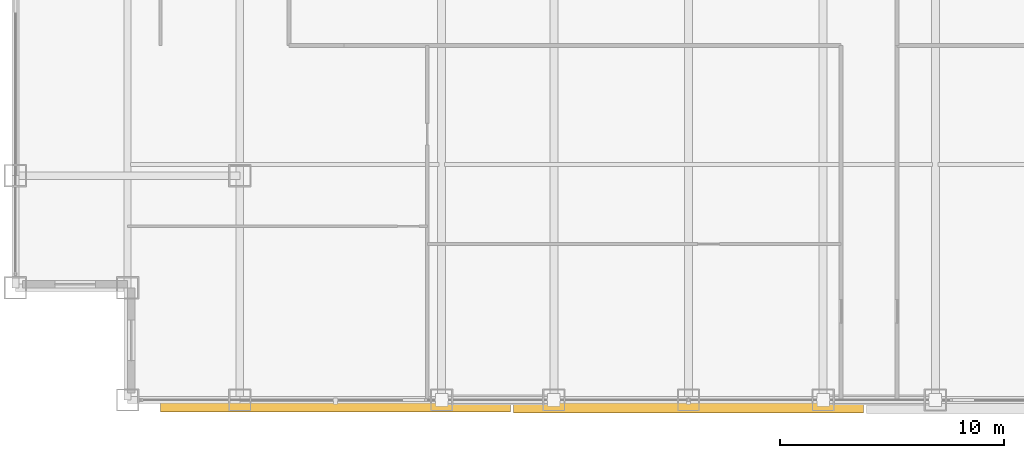
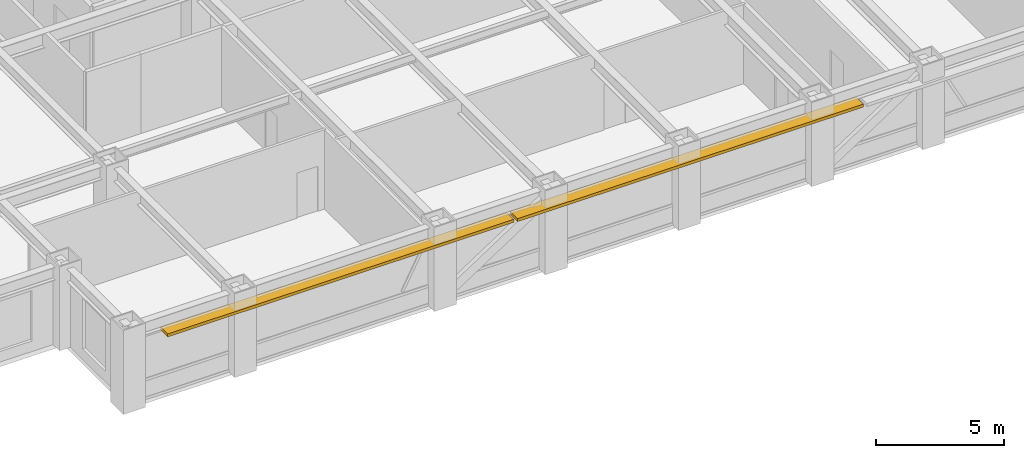
# One storey, part 25 of 29: 2 shading devices.
"""IFC4 building model written with IfcOpenShell, lengths in metres."""

from ifc_helpers import new_model, si_unit, direction, frame, origin, origin_2d, place, context, subcontext, project, spatial, rectangle, extrude, source, transform, mapped, material, layer, layer_set, type_object, element, save


model = new_model("IFC4")

# Units and contexts
model_context = context("Model", 3, precision=1e-05, world=origin(), true_north=direction((0.0, 1.0)))
body_context = subcontext(model_context, "Body", "Model", "MODEL_VIEW")
ifc_project = project(units=[si_unit("LENGTHUNIT", "METRE"), si_unit("AREAUNIT", "SQUARE_METRE"), si_unit("VOLUMEUNIT", "CUBIC_METRE"), si_unit("PLANEANGLEUNIT", "RADIAN"), si_unit("MASSUNIT", "GRAM", prefix="KILO")], contexts=[model_context])

# Site, building, storey
site_placement = place(None, origin())
site = spatial("IfcSite", under=ifc_project, at=site_placement, CompositionType="ELEMENT")
building_placement = place(site_placement, origin())
building = spatial("IfcBuilding", under=site, at=building_placement, Name="Khorayat Bourse Tower", CompositionType="ELEMENT")
storey_placement = place(building_placement, frame((0.0, 0.0, 243.10009765625)))
storey = spatial("IfcBuildingStorey", under=building, at=storey_placement, Name="L57", CompositionType="ELEMENT", Elevation=243.10009765625)

# Shading devices
ifc_material = material(Name="Precast concrete C45/55", Category="concrete")
ifc_layer = layer(ifc_material, 0.139892578125)
ifc_layer_set = layer_set([ifc_layer], Name="Precast concrete C45/55")
shading_device_type = type_object("IfcShadingDeviceType", Name="SHD-WAVE-TRAY-A", PredefinedType="USERDEFINED", material=ifc_layer_set)
shared_shape_1 = source(origin(), body_context, "Body", "SweptSolid", [
    extrude(rectangle(XDim=15.59326171875, YDim=0.555908203125, at=origin_2d()), origin(), (0.0, 0.0, 1.0), 0.139892578125),
])
shading_device_1_placement = place(storey_placement, frame((-15.7333984375, -30.258056640625, 3.02978515625), z_axis=(0.0, 0.0, 1.0), x_axis=(1.0, 0.0, 0.0)))
element("IfcShadingDevice", 1, at=shading_device_1_placement, inside=storey, type_object=shading_device_type, Name="L57 Sinusoidal Wave Sunshade Tray S-1", ObjectType="SUNSHADE", PredefinedType="USERDEFINED", context=body_context, shape_type="MappedRepresentation", body=[
    mapped(shared_shape_1, transform((0.0, 0.0, 0.0), scale=1.0)),
])
shared_shape_2 = source(origin(), body_context, "Body", "SweptSolid", [
    extrude(rectangle(XDim=15.59326171875, YDim=0.589111328125, at=origin_2d()), origin(), (0.0, 0.0, 1.0), 0.139892578125),
])
shading_device_2_placement = place(storey_placement, frame((0.0, -30.274658203125, 3.02978515625), z_axis=(0.0, 0.0, 1.0), x_axis=(1.0, 0.0, 0.0)))
element("IfcShadingDevice", 2, at=shading_device_2_placement, inside=storey, type_object=shading_device_type, Name="L57 Sinusoidal Wave Sunshade Tray S-2", ObjectType="SUNSHADE", PredefinedType="USERDEFINED", context=body_context, shape_type="MappedRepresentation", body=[
    mapped(shared_shape_2, transform((0.0, 0.0, 0.0), scale=1.0)),
])

save(model, "model.ifc")
